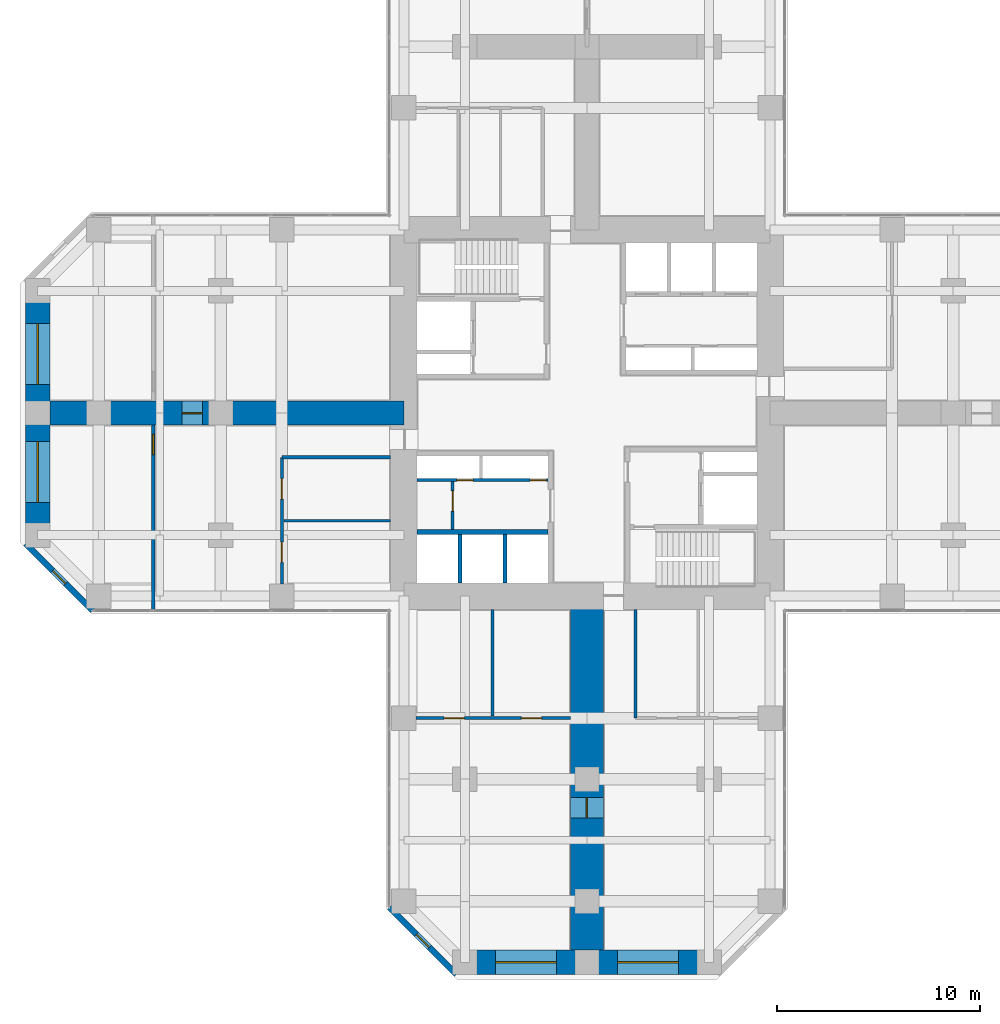
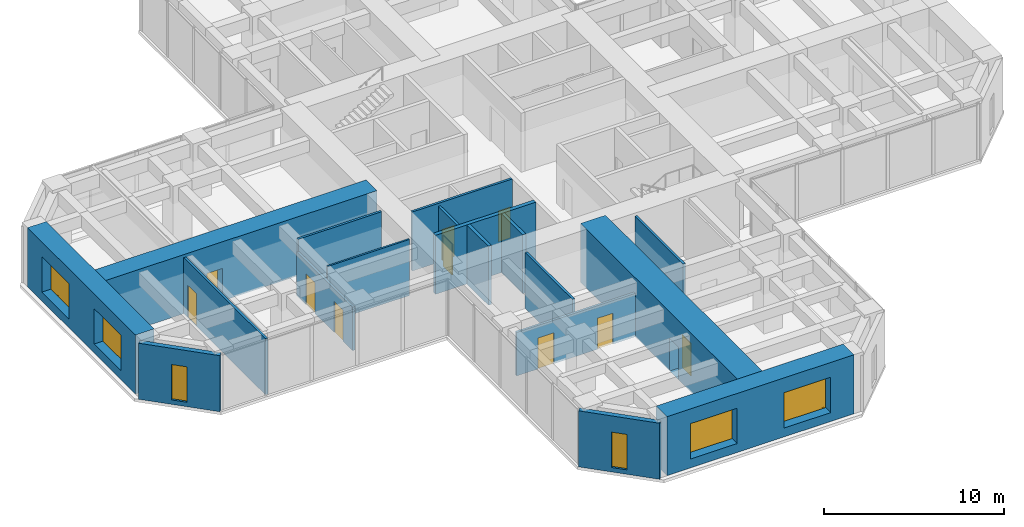
# One storey, part 8 of 12: 18 walls, 10 doors, 6 windows, 16 openings.
"""IFC4 building model written with IfcOpenShell, lengths in metres."""

from ifc_helpers import new_model, si_unit, direction, frame, frame_2d, origin, place, context, subcontext, project, spatial, rectangle, hollow_rectangle, extrude, material, layer, layer_set, constituent, constituent_set, type_object, element, fill, save


model = new_model("IFC4")

# Units and contexts
model_context = context("Model", 3, precision=1e-05, world=origin(), true_north=direction((0.0, 1.0)))
body_context = subcontext(model_context, "Body", "Model", "MODEL_VIEW")
ifc_project = project(units=[si_unit("LENGTHUNIT", "METRE"), si_unit("AREAUNIT", "SQUARE_METRE"), si_unit("VOLUMEUNIT", "CUBIC_METRE"), si_unit("PLANEANGLEUNIT", "RADIAN"), si_unit("MASSUNIT", "GRAM", prefix="KILO")], contexts=[model_context])

# Site, building, storey
site_placement = place(None, origin())
site = spatial("IfcSite", under=ifc_project, at=site_placement, CompositionType="ELEMENT")
building_placement = place(site_placement, origin())
building = spatial("IfcBuilding", under=site, at=building_placement, Name="Torre Cruceta", CompositionType="ELEMENT")
storey_placement = place(building_placement, frame((0.0, 0.0, 43.5)))
storey = spatial("IfcBuildingStorey", under=building, at=storey_placement, Name="L10", CompositionType="ELEMENT", Elevation=43.5)

# Wall
ifc_material_1 = material(Name="Concrete G60 (fck 60 MPa)", Category="concrete")
ifc_layer_1 = layer(ifc_material_1, 0.25)
ifc_layer_set_1 = layer_set([ifc_layer_1], Name="Concrete G60 (fck 60 MPa)")
wall_type_1 = type_object("IfcWallType", Name="CORE INNER WALL 250 G60", PredefinedType="SHEAR", material=ifc_layer_set_1)
wall_1_placement = place(storey_placement, frame((-1.925048828125, -5.85009765625, 0.0), z_axis=(0.0, 0.0, 1.0), x_axis=(-1.0, 0.0, 0.0)))
element("IfcWall", 1, at=wall_1_placement, inside=storey, type_object=wall_type_1, Name="CW4 L10 SW-LV", PredefinedType="SHEAR", context=body_context, shape_type="SweptSolid", body=[
    extrude(rectangle(XDim=6.425048828125, YDim=0.25, at=frame_2d((3.21240234375, 0.0))), origin(), (0.0, 0.0, 1.0), 4.0),
])

# Wall, opening, window
ifc_material_2 = material(Name="Concrete G30 (fck 30 MPa)", Category="concrete")
ifc_layer_2 = layer(ifc_material_2, 0.300048828125)
ifc_layer_set_2 = layer_set([ifc_layer_2], Name="Concrete G30 (fck 30 MPa)")
wall_type_2 = type_object("IfcWallType", Name="EXPOSED CONCRETE FACADE WALL 300", PredefinedType="SOLIDWALL", material=ifc_layer_set_2)
wall_2_placement = place(storey_placement, frame((-27.60009765625, -6.418212890625, 0.0), z_axis=(0.0, 0.0, 1.0), x_axis=(0.707106781187, -0.707106781187, 0.0)))
wall_2 = element("IfcWall", 2, at=wall_2_placement, inside=storey, type_object=wall_type_2, Name="EW1 facade wall L10 W chamfer 13", PredefinedType="SOLIDWALL", context=body_context, shape_type="SweptSolid", body=[
    extrude(rectangle(XDim=4.66943359375, YDim=0.300048828125, at=frame_2d((2.334716796875, 0.0))), origin(), (0.0, 0.0, 1.0), 3.800048828125),
])
opening_1_placement = place(wall_2_placement, frame((1.884765625, 0.0, 0.300048828125)))
opening_1 = element("IfcOpeningElement", 3, at=opening_1_placement, cuts=wall_2, Name="Opening WN5", PredefinedType="OPENING", context=body_context, shape_type="SweptSolid", body=[
    extrude(rectangle(XDim=0.89990234375, YDim=2.39990234375, at=frame_2d((0.449951171875, 1.199951171875))), frame((0.0, 0.159912109375, 0.0), z_axis=(0.0, -1.0, 0.0), x_axis=(1.0, 0.0, 0.0)), (0.0, 0.0, 1.0), 0.320068359375),
])
ifc_material_3 = material(Name="Aluminium window frame", Category="aluminium")
ifc_constituent_1 = constituent(ifc_material_3, Name="Frame")
ifc_material_4 = material(Name="Laminated insulating glass unit, low-iron clear", Category="glass")
ifc_constituent_2 = constituent(ifc_material_4, Name="Glazing")
ifc_constituent_set_1 = constituent_set(constituents=[ifc_constituent_1, ifc_constituent_2], Name="Aluminium window")
window_type_1 = type_object("IfcWindowType", Name="CHAMFER SLOT WINDOW 900X2400", PartitioningType="SINGLE_PANEL", PredefinedType="WINDOW", material=ifc_constituent_set_1)
window_1_placement = place(opening_1_placement, origin())
window_1 = element("IfcWindow", 4, at=window_1_placement, inside=storey, type_object=window_type_1, Name="WN5 L10 W 1", OverallHeight=2.39990234375, OverallWidth=0.89990234375, PartitioningType="SINGLE_PANEL", PredefinedType="WINDOW", context=body_context, shape_type="SweptSolid", body=[
    extrude(hollow_rectangle(XDim=0.89990234375, YDim=2.39990234375, WallThickness=0.06005859375, at=frame_2d((0.449951171875, 1.199951171875))), frame((0.0, 0.030029296875, 0.0), z_axis=(0.0, -1.0, 0.0), x_axis=(1.0, 0.0, 0.0)), (0.0, 0.0, 1.0), 0.06005859375),
    extrude(rectangle(XDim=0.77880859375, YDim=2.27880859375, at=frame_2d((0.449951171875, 1.199951171875))), frame((0.0, 0.030029296875, 0.0), z_axis=(0.0, -1.0, 0.0), x_axis=(1.0, 0.0, 0.0)), (0.0, 0.0, 1.0), 0.06005859375),
])
fill(opening_1, window_1)

wall_3_placement = place(storey_placement, frame((-9.719970703125, -24.29833984375, 0.0), z_axis=(0.0, 0.0, 1.0), x_axis=(0.707106781187, -0.707106781187, 0.0)))
wall_3 = element("IfcWall", 5, at=wall_3_placement, inside=storey, type_object=wall_type_2, Name="EW1 facade wall L10 S chamfer 16", PredefinedType="SOLIDWALL", context=body_context, shape_type="SweptSolid", body=[
    extrude(rectangle(XDim=4.66943359375, YDim=0.300048828125, at=frame_2d((2.334716796875, 0.0))), origin(), (0.0, 0.0, 1.0), 3.800048828125),
])
opening_2_placement = place(wall_3_placement, frame((1.884765625, 0.0, 0.300048828125)))
opening_2 = element("IfcOpeningElement", 6, at=opening_2_placement, cuts=wall_3, Name="Opening WN5", PredefinedType="OPENING", context=body_context, shape_type="SweptSolid", body=[
    extrude(rectangle(XDim=0.89990234375, YDim=2.39990234375, at=frame_2d((0.449951171875, 1.199951171875))), frame((0.0, 0.159912109375, 0.0), z_axis=(0.0, -1.0, 0.0), x_axis=(1.0, 0.0, 0.0)), (0.0, 0.0, 1.0), 0.320068359375),
])
window_2_placement = place(opening_2_placement, origin())
window_2 = element("IfcWindow", 7, at=window_2_placement, inside=storey, type_object=window_type_1, Name="WN5 L10 S 1", OverallHeight=2.39990234375, OverallWidth=0.89990234375, PartitioningType="SINGLE_PANEL", PredefinedType="WINDOW", context=body_context, shape_type="SweptSolid", body=[
    extrude(hollow_rectangle(XDim=0.89990234375, YDim=2.39990234375, WallThickness=0.06005859375, at=frame_2d((0.449951171875, 1.199951171875))), frame((0.0, 0.030029296875, 0.0), z_axis=(0.0, -1.0, 0.0), x_axis=(1.0, 0.0, 0.0)), (0.0, 0.0, 1.0), 0.06005859375),
    extrude(rectangle(XDim=0.77880859375, YDim=2.27880859375, at=frame_2d((0.449951171875, 1.199951171875))), frame((0.0, 0.030029296875, 0.0), z_axis=(0.0, -1.0, 0.0), x_axis=(1.0, 0.0, 0.0)), (0.0, 0.0, 1.0), 0.06005859375),
])
fill(opening_2, window_2)

# Walls
ifc_material_5 = material(Name="Concrete G35 (fck 35 MPa)", Category="concrete")
ifc_layer_3 = layer(ifc_material_5, 0.199951171875)
ifc_layer_set_3 = layer_set([ifc_layer_3], Name="Concrete G35 (fck 35 MPa)")
wall_type_3 = type_object("IfcWallType", Name="LIFT SHAFT WALL 200", PredefinedType="PARTITIONING", material=ifc_layer_set_3)
for number, where, z_axis, x_axis, name in (
    (8, (-4.033447265625, -5.97509765625, 0.0), (0.0, 0.0, 1.0), (0.0, -1.0, 0.0), "SW1 L10 SW-LS1"),
    (9, (-6.24169921875, -5.97509765625, 0.0), (0.0, 0.0, 1.0), (0.0, -1.0, 0.0), "SW1 L10 SW-LS2"),
):
    element("IfcWall", number, at=place(storey_placement, frame(where, z_axis=z_axis, x_axis=x_axis)), inside=storey, type_object=wall_type_3, Name=name, PredefinedType="PARTITIONING", context=body_context, shape_type="SweptSolid", body=[
        extrude(rectangle(XDim=2.375, YDim=0.199951171875, at=frame_2d((1.1875, 0.0))), origin(), (0.0, 0.0, 1.0), 4.0),
    ])

# Wall, openings, windows
ifc_material_6 = material(Name="Concrete G60 (fck 60 MPa)", Category="concrete")
ifc_layer_4 = layer(ifc_material_6, 1.199951171875)
ifc_layer_set_4 = layer_set([ifc_layer_4], Name="Concrete G60 (fck 60 MPa)")
wall_type_4 = type_object("IfcWallType", Name="NOSE WALL 1200 G60", PredefinedType="SHEAR", material=ifc_layer_set_4)
wall_4_placement = place(storey_placement, frame((-6.0, -27.0, 0.0), z_axis=(0.0, 0.0, 1.0), x_axis=(1.0, 0.0, 0.0)))
wall_4 = element("IfcWall", 10, at=wall_4_placement, inside=storey, type_object=wall_type_4, Name="NW1 nose wall L10 S", PredefinedType="SHEAR", context=body_context, shape_type="SweptSolid", body=[
    extrude(rectangle(XDim=12.0, YDim=1.199951171875, at=frame_2d((6.0, 0.0))), origin(), (0.0, 0.0, 1.0), 4.0),
])
opening_3_placement = place(wall_4_placement, frame((1.5, 0.0, 0.60009765625)))
opening_3 = element("IfcOpeningElement", 11, at=opening_3_placement, cuts=wall_4, Name="Opening WN6", PredefinedType="OPENING", context=body_context, shape_type="SweptSolid", body=[
    extrude(rectangle(XDim=3.0, YDim=2.39990234375, at=frame_2d((1.5, 1.199951171875))), frame((0.0, 0.60986328125, 0.0), z_axis=(0.0, -1.0, 0.0), x_axis=(1.0, 0.0, 0.0)), (0.0, 0.0, 1.0), 1.219970703125),
])
opening_4_placement = place(wall_4_placement, frame((7.5, 0.0, 0.60009765625)))
opening_4 = element("IfcOpeningElement", 12, at=opening_4_placement, cuts=wall_4, Name="Opening WN6", PredefinedType="OPENING", context=body_context, shape_type="SweptSolid", body=[
    extrude(rectangle(XDim=3.0, YDim=2.39990234375, at=frame_2d((1.5, 1.199951171875))), frame((0.0, 0.60986328125, 0.0), z_axis=(0.0, -1.0, 0.0), x_axis=(1.0, 0.0, 0.0)), (0.0, 0.0, 1.0), 1.219970703125),
])
ifc_material_7 = material(Name="Aluminium window frame", Category="aluminium")
ifc_constituent_3 = constituent(ifc_material_7, Name="Frame")
ifc_material_8 = material(Name="Laminated insulating glass unit, low-iron clear", Category="glass")
ifc_constituent_4 = constituent(ifc_material_8, Name="Glazing")
ifc_constituent_set_2 = constituent_set(constituents=[ifc_constituent_3, ifc_constituent_4], Name="Aluminium window")
window_type_2 = type_object("IfcWindowType", Name="NOSE WALL WINDOW 3000X2400", PartitioningType="SINGLE_PANEL", PredefinedType="WINDOW", material=ifc_constituent_set_2)
window_3_placement = place(opening_3_placement, origin())
window_3 = element("IfcWindow", 13, at=window_3_placement, inside=storey, type_object=window_type_2, Name="WN6 L10 S 1", OverallHeight=2.39990234375, OverallWidth=3.0, PartitioningType="SINGLE_PANEL", PredefinedType="WINDOW", context=body_context, shape_type="SweptSolid", body=[
    extrude(hollow_rectangle(XDim=3.0, YDim=2.39990234375, WallThickness=0.06005859375, at=frame_2d((1.5, 1.199951171875))), frame((0.0, 0.030029296875, 0.0), z_axis=(0.0, -1.0, 0.0), x_axis=(1.0, 0.0, 0.0)), (0.0, 0.0, 1.0), 0.06005859375),
    extrude(rectangle(XDim=2.87890625, YDim=2.27880859375, at=frame_2d((1.5, 1.199951171875))), frame((0.0, 0.030029296875, 0.0), z_axis=(0.0, -1.0, 0.0), x_axis=(1.0, 0.0, 0.0)), (0.0, 0.0, 1.0), 0.06005859375),
])
fill(opening_3, window_3)
window_4_placement = place(opening_4_placement, origin())
window_4 = element("IfcWindow", 14, at=window_4_placement, inside=storey, type_object=window_type_2, Name="WN6 L10 S 2", OverallHeight=2.39990234375, OverallWidth=3.0, PartitioningType="SINGLE_PANEL", PredefinedType="WINDOW", context=body_context, shape_type="SweptSolid", body=[
    extrude(hollow_rectangle(XDim=3.0, YDim=2.39990234375, WallThickness=0.06005859375, at=frame_2d((1.5, 1.199951171875))), frame((0.0, 0.030029296875, 0.0), z_axis=(0.0, -1.0, 0.0), x_axis=(1.0, 0.0, 0.0)), (0.0, 0.0, 1.0), 0.06005859375),
    extrude(rectangle(XDim=2.87890625, YDim=2.27880859375, at=frame_2d((1.5, 1.199951171875))), frame((0.0, 0.030029296875, 0.0), z_axis=(0.0, -1.0, 0.0), x_axis=(1.0, 0.0, 0.0)), (0.0, 0.0, 1.0), 0.06005859375),
])
fill(opening_4, window_4)

wall_5_placement = place(storey_placement, frame((-27.0, 6.0, 0.0), z_axis=(0.0, 0.0, 1.0), x_axis=(0.0, -1.0, 0.0)))
wall_5 = element("IfcWall", 15, at=wall_5_placement, inside=storey, type_object=wall_type_4, Name="NW1 nose wall L10 W", PredefinedType="SHEAR", context=body_context, shape_type="SweptSolid", body=[
    extrude(rectangle(XDim=12.0, YDim=1.199951171875, at=frame_2d((6.0, 0.0))), origin(), (0.0, 0.0, 1.0), 4.0),
])
opening_5_placement = place(wall_5_placement, frame((1.60009765625, 0.0, 0.60009765625)))
opening_5 = element("IfcOpeningElement", 16, at=opening_5_placement, cuts=wall_5, Name="Opening WN6", PredefinedType="OPENING", context=body_context, shape_type="SweptSolid", body=[
    extrude(rectangle(XDim=3.0, YDim=2.39990234375, at=frame_2d((1.5, 1.199951171875))), frame((0.0, 0.60986328125, 0.0), z_axis=(0.0, -1.0, 0.0), x_axis=(1.0, 0.0, 0.0)), (0.0, 0.0, 1.0), 1.219970703125),
])
opening_6_placement = place(wall_5_placement, frame((7.39990234375, 0.0, 0.60009765625)))
opening_6 = element("IfcOpeningElement", 17, at=opening_6_placement, cuts=wall_5, Name="Opening WN6", PredefinedType="OPENING", context=body_context, shape_type="SweptSolid", body=[
    extrude(rectangle(XDim=3.0, YDim=2.39990234375, at=frame_2d((1.5, 1.199951171875))), frame((0.0, 0.60986328125, 0.0), z_axis=(0.0, -1.0, 0.0), x_axis=(1.0, 0.0, 0.0)), (0.0, 0.0, 1.0), 1.219970703125),
])
window_5_placement = place(opening_5_placement, origin())
window_5 = element("IfcWindow", 18, at=window_5_placement, inside=storey, type_object=window_type_2, Name="WN6 L10 W 1", OverallHeight=2.39990234375, OverallWidth=3.0, PartitioningType="SINGLE_PANEL", PredefinedType="WINDOW", context=body_context, shape_type="SweptSolid", body=[
    extrude(hollow_rectangle(XDim=3.0, YDim=2.39990234375, WallThickness=0.06005859375, at=frame_2d((1.5, 1.199951171875))), frame((0.0, 0.030029296875, 0.0), z_axis=(0.0, -1.0, 0.0), x_axis=(1.0, 0.0, 0.0)), (0.0, 0.0, 1.0), 0.06005859375),
    extrude(rectangle(XDim=2.87890625, YDim=2.27880859375, at=frame_2d((1.5, 1.199951171875))), frame((0.0, 0.030029296875, 0.0), z_axis=(0.0, -1.0, 0.0), x_axis=(1.0, 0.0, 0.0)), (0.0, 0.0, 1.0), 0.06005859375),
])
fill(opening_5, window_5)
window_6_placement = place(opening_6_placement, origin())
window_6 = element("IfcWindow", 19, at=window_6_placement, inside=storey, type_object=window_type_2, Name="WN6 L10 W 2", OverallHeight=2.39990234375, OverallWidth=3.0, PartitioningType="SINGLE_PANEL", PredefinedType="WINDOW", context=body_context, shape_type="SweptSolid", body=[
    extrude(hollow_rectangle(XDim=3.0, YDim=2.39990234375, WallThickness=0.06005859375, at=frame_2d((1.5, 1.199951171875))), frame((0.0, 0.030029296875, 0.0), z_axis=(0.0, -1.0, 0.0), x_axis=(1.0, 0.0, 0.0)), (0.0, 0.0, 1.0), 0.06005859375),
    extrude(rectangle(XDim=2.87890625, YDim=2.27880859375, at=frame_2d((1.5, 1.199951171875))), frame((0.0, 0.030029296875, 0.0), z_axis=(0.0, -1.0, 0.0), x_axis=(1.0, 0.0, 0.0)), (0.0, 0.0, 1.0), 0.06005859375),
])
fill(opening_6, window_6)

# Wall, opening, door
ifc_material_9 = material(Name="Plasterboard on steel studs", Category="steel")
ifc_layer_5 = layer(ifc_material_9, 0.14990234375)
ifc_layer_set_5 = layer_set([ifc_layer_5], Name="Plasterboard on steel studs")
wall_type_5 = type_object("IfcWallType", Name="PARTITION 150", PredefinedType="PARTITIONING", material=ifc_layer_set_5)
wall_6_placement = place(storey_placement, frame((-6.60009765625, -3.375, 0.0), z_axis=(0.0, 0.0, 1.0), x_axis=(0.0, -1.0, 0.0)))
wall_6 = element("IfcWall", 20, at=wall_6_placement, inside=storey, type_object=wall_type_5, Name="PT1 L10-CORE-SW-X", PredefinedType="PARTITIONING", context=body_context, shape_type="SweptSolid", body=[
    extrude(rectangle(XDim=2.35009765625, YDim=0.14990234375, at=frame_2d((1.175048828125, 0.0))), origin(), (0.0, 0.0, 1.0), 3.800048828125),
])
opening_7_placement = place(wall_6_placement, frame((0.449951171875, 0.0, 0.0)))
opening_7 = element("IfcOpeningElement", 21, at=opening_7_placement, cuts=wall_6, Name="Opening D3", PredefinedType="OPENING", context=body_context, shape_type="SweptSolid", body=[
    extrude(rectangle(XDim=1.0, YDim=2.10009765625, at=frame_2d((0.5, 1.050048828125))), frame((0.0, 0.0849609375, 0.0), z_axis=(0.0, -1.0, 0.0), x_axis=(1.0, 0.0, 0.0)), (0.0, 0.0, 1.0), 0.169921875),
])
ifc_material_10 = material(Name="Steel DX51D", Category="steel")
ifc_constituent_5 = constituent(ifc_material_10, Name="Leaf and frame")
ifc_material_11 = material(Name="Polyester powder coating", Category="paint")
ifc_constituent_6 = constituent(ifc_material_11, Name="Finish")
ifc_constituent_set_3 = constituent_set(constituents=[ifc_constituent_5, ifc_constituent_6], Name="Steel fire door")
door_type_1 = type_object("IfcDoorType", Name="FIRE DOOR 1000X2100", OperationType="SINGLE_SWING_LEFT", PredefinedType="DOOR", material=ifc_constituent_set_3)
door_1_placement = place(opening_7_placement, frame((1.0, 0.0, 0.0), z_axis=(0.0, 0.0, 1.0), x_axis=(-1.0, 0.0, 0.0)))
door_1 = element("IfcDoor", 22, at=door_1_placement, inside=storey, type_object=door_type_1, Name="D3 L10-CORE-SW-X-D1", OperationType="SINGLE_SWING_RIGHT", OverallHeight=2.10009765625, OverallWidth=1.0, PredefinedType="DOOR", context=body_context, shape_type="SweptSolid", body=[
    extrude(rectangle(XDim=1.0, YDim=2.10009765625, at=frame_2d((0.5, 1.050048828125))), frame((0.0, 0.025146484375, 0.0), z_axis=(0.0, -1.0, 0.0), x_axis=(1.0, 0.0, 0.0)), (0.0, 0.0, 1.0), 0.050048828125),
])
fill(opening_7, door_1)

# Wall
wall_7_placement = place(storey_placement, frame((2.375, -9.64990234375, 0.0), z_axis=(0.0, 0.0, 1.0), x_axis=(0.0, -1.0, 0.0)))
element("IfcWall", 23, at=wall_7_placement, inside=storey, type_object=wall_type_5, Name="PT1 L10-S-BSL", PredefinedType="PARTITIONING", context=body_context, shape_type="SweptSolid", body=[
    extrude(rectangle(XDim=5.35009765625, YDim=0.14990234375, at=frame_2d((2.675048828125, 0.0))), origin(), (0.0, 0.0, 1.0), 3.800048828125),
])

# Wall, openings, doors
wall_8_placement = place(storey_placement, frame((-8.39990234375, -15.0, 0.0), z_axis=(0.0, 0.0, 1.0), x_axis=(1.0, 0.0, 0.0)))
wall_8 = element("IfcWall", 24, at=wall_8_placement, inside=storey, type_object=wall_type_5, Name="PT1 L10-S-BFR", PredefinedType="PARTITIONING", context=body_context, shape_type="SweptSolid", body=[
    extrude(rectangle(XDim=7.599853515625, YDim=0.14990234375, at=frame_2d((3.7998046875, 0.0))), origin(), (0.0, 0.0, 1.0), 2.949951171875),
])
opening_8_placement = place(wall_8_placement, frame((1.375, 0.0, 0.0)))
opening_8 = element("IfcOpeningElement", 25, at=opening_8_placement, cuts=wall_8, Name="Opening D3", PredefinedType="OPENING", context=body_context, shape_type="SweptSolid", body=[
    extrude(rectangle(XDim=1.0, YDim=2.10009765625, at=frame_2d((0.5, 1.050048828125))), frame((0.0, 0.0849609375, 0.0), z_axis=(0.0, -1.0, 0.0), x_axis=(1.0, 0.0, 0.0)), (0.0, 0.0, 1.0), 0.169921875),
])
opening_9_placement = place(wall_8_placement, frame((5.175048828125, 0.0, 0.0)))
opening_9 = element("IfcOpeningElement", 26, at=opening_9_placement, cuts=wall_8, Name="Opening D3", PredefinedType="OPENING", context=body_context, shape_type="SweptSolid", body=[
    extrude(rectangle(XDim=1.0, YDim=2.10009765625, at=frame_2d((0.5, 1.050048828125))), frame((0.0, 0.0849609375, 0.0), z_axis=(0.0, -1.0, 0.0), x_axis=(1.0, 0.0, 0.0)), (0.0, 0.0, 1.0), 0.169921875),
])
door_2_placement = place(opening_8_placement, origin())
door_2 = element("IfcDoor", 27, at=door_2_placement, inside=storey, type_object=door_type_1, Name="D3 L10-S-BFR-D1", OperationType="SINGLE_SWING_RIGHT", OverallHeight=2.10009765625, OverallWidth=1.0, PredefinedType="DOOR", context=body_context, shape_type="SweptSolid", body=[
    extrude(rectangle(XDim=1.0, YDim=2.10009765625, at=frame_2d((0.5, 1.050048828125))), frame((0.0, 0.02490234375, 0.0), z_axis=(0.0, -1.0, 0.0), x_axis=(1.0, 0.0, 0.0)), (0.0, 0.0, 1.0), 0.050048828125),
])
fill(opening_8, door_2)
door_3_placement = place(opening_9_placement, origin())
door_3 = element("IfcDoor", 28, at=door_3_placement, inside=storey, type_object=door_type_1, Name="D3 L10-S-BFR-D2", OperationType="SINGLE_SWING_LEFT", OverallHeight=2.10009765625, OverallWidth=1.0, PredefinedType="DOOR", context=body_context, shape_type="SweptSolid", body=[
    extrude(rectangle(XDim=1.0, YDim=2.10009765625, at=frame_2d((0.5, 1.050048828125))), frame((0.0, 0.02490234375, 0.0), z_axis=(0.0, -1.0, 0.0), x_axis=(1.0, 0.0, 0.0)), (0.0, 0.0, 1.0), 0.050048828125),
])
fill(opening_9, door_3)

# Wall
wall_9_placement = place(storey_placement, frame((-4.64990234375, -9.64990234375, 0.0), z_axis=(0.0, 0.0, 1.0), x_axis=(0.0, -1.0, 0.0)))
element("IfcWall", 29, at=wall_9_placement, inside=storey, type_object=wall_type_5, Name="PT1 L10-S-BDR1", PredefinedType="PARTITIONING", context=body_context, shape_type="SweptSolid", body=[
    extrude(rectangle(XDim=5.25, YDim=0.14990234375, at=frame_2d((2.625, 0.0))), origin(), (0.0, 0.0, 1.0), 3.800048828125),
])

# Wall, openings, doors
wall_10_placement = place(storey_placement, frame((-15.0, -2.175048828125, 0.0), z_axis=(0.0, 0.0, 1.0), x_axis=(0.0, -1.0, 0.0)))
wall_10 = element("IfcWall", 30, at=wall_10_placement, inside=storey, type_object=wall_type_5, Name="PT1 L10-W-BFL", PredefinedType="PARTITIONING", context=body_context, shape_type="SweptSolid", body=[
    extrude(rectangle(XDim=6.224853515625, YDim=0.14990234375, at=frame_2d((3.1123046875, 0.0))), origin(), (0.0, 0.0, 1.0), 2.949951171875),
])
opening_10_placement = place(wall_10_placement, frame((1.05615234375, 0.0, 0.0)))
opening_10 = element("IfcOpeningElement", 31, at=opening_10_placement, cuts=wall_10, Name="Opening D3", PredefinedType="OPENING", context=body_context, shape_type="SweptSolid", body=[
    extrude(rectangle(XDim=1.0, YDim=2.10009765625, at=frame_2d((0.5, 1.050048828125))), frame((0.0, 0.0849609375, 0.0), z_axis=(0.0, -1.0, 0.0), x_axis=(1.0, 0.0, 0.0)), (0.0, 0.0, 1.0), 0.169921875),
])
opening_11_placement = place(wall_10_placement, frame((4.168701171875, 0.0, 0.0)))
opening_11 = element("IfcOpeningElement", 32, at=opening_11_placement, cuts=wall_10, Name="Opening D3", PredefinedType="OPENING", context=body_context, shape_type="SweptSolid", body=[
    extrude(rectangle(XDim=1.0, YDim=2.10009765625, at=frame_2d((0.5, 1.050048828125))), frame((0.0, 0.0849609375, 0.0), z_axis=(0.0, -1.0, 0.0), x_axis=(1.0, 0.0, 0.0)), (0.0, 0.0, 1.0), 0.169921875),
])
door_4_placement = place(opening_10_placement, origin())
door_4 = element("IfcDoor", 33, at=door_4_placement, inside=storey, type_object=door_type_1, Name="D3 L10-W-BFL-D1", OperationType="SINGLE_SWING_LEFT", OverallHeight=2.10009765625, OverallWidth=1.0, PredefinedType="DOOR", context=body_context, shape_type="SweptSolid", body=[
    extrude(rectangle(XDim=1.0, YDim=2.10009765625, at=frame_2d((0.5, 1.050048828125))), frame((0.0, 0.02490234375, 0.0), z_axis=(0.0, -1.0, 0.0), x_axis=(1.0, 0.0, 0.0)), (0.0, 0.0, 1.0), 0.050048828125),
])
fill(opening_10, door_4)
door_5_placement = place(opening_11_placement, origin())
door_5 = element("IfcDoor", 34, at=door_5_placement, inside=storey, type_object=door_type_1, Name="D3 L10-W-BFL-D2", OperationType="SINGLE_SWING_LEFT", OverallHeight=2.10009765625, OverallWidth=1.0, PredefinedType="DOOR", context=body_context, shape_type="SweptSolid", body=[
    extrude(rectangle(XDim=1.0, YDim=2.10009765625, at=frame_2d((0.5, 1.050048828125))), frame((0.0, 0.02490234375, 0.0), z_axis=(0.0, -1.0, 0.0), x_axis=(1.0, 0.0, 0.0)), (0.0, 0.0, 1.0), 0.050048828125),
])
fill(opening_11, door_5)

# Wall
wall_11_placement = place(storey_placement, frame((-9.64990234375, -2.175048828125, 0.0), z_axis=(0.0, 0.0, 1.0), x_axis=(-1.0, 0.0, 0.0)))
element("IfcWall", 35, at=wall_11_placement, inside=storey, type_object=wall_type_5, Name="PT1 L10-W-BSL", PredefinedType="PARTITIONING", context=body_context, shape_type="SweptSolid", body=[
    extrude(rectangle(XDim=5.35009765625, YDim=0.14990234375, at=frame_2d((2.675048828125, 0.0))), origin(), (0.0, 0.0, 1.0), 3.800048828125),
])

# Wall, opening, door
wall_12_placement = place(storey_placement, frame((-21.320068359375, -0.60009765625, 0.0), z_axis=(0.0, 0.0, 1.0), x_axis=(0.0, -1.0, 0.0)))
wall_12 = element("IfcWall", 36, at=wall_12_placement, inside=storey, type_object=wall_type_5, Name="PT1 L10-W-TWL", PredefinedType="PARTITIONING", context=body_context, shape_type="SweptSolid", body=[
    extrude(rectangle(XDim=9.079833984375, YDim=0.14990234375, at=frame_2d((4.5400390625, 0.0))), origin(), (0.0, 0.0, 1.0), 3.800048828125),
])
opening_12_placement = place(wall_12_placement, frame((0.449951171875, 0.0, 0.0)))
opening_12 = element("IfcOpeningElement", 37, at=opening_12_placement, cuts=wall_12, Name="Opening D14", PredefinedType="OPENING", context=body_context, shape_type="SweptSolid", body=[
    extrude(rectangle(XDim=1.0, YDim=2.199951171875, at=frame_2d((0.5, 1.10009765625))), frame((0.0, 0.0849609375, 0.0), z_axis=(0.0, -1.0, 0.0), x_axis=(1.0, 0.0, 0.0)), (0.0, 0.0, 1.0), 0.169921875),
])
ifc_material_12 = material(Name="Steel DX51D", Category="steel")
ifc_constituent_7 = constituent(ifc_material_12, Name="Leaf and frame")
ifc_material_13 = material(Name="Polyester powder coating", Category="paint")
ifc_constituent_8 = constituent(ifc_material_13, Name="Finish")
ifc_material_14 = material(Name="Fire-resisting glass", Category="glass")
ifc_constituent_9 = constituent(ifc_material_14, Name="Vision panel")
ifc_constituent_set_4 = constituent_set(constituents=[ifc_constituent_7, ifc_constituent_8, ifc_constituent_9], Name="Steel fire door with vision panel")
door_type_2 = type_object("IfcDoorType", Name="FIRE DOOR VISION PANEL 1000X2200", OperationType="SINGLE_SWING_RIGHT", PredefinedType="DOOR", material=ifc_constituent_set_4)
door_6_placement = place(opening_12_placement, frame((1.0, 0.0, 0.0), z_axis=(0.0, 0.0, 1.0), x_axis=(-1.0, 0.0, 0.0)))
door_6 = element("IfcDoor", 38, at=door_6_placement, inside=storey, type_object=door_type_2, Name="D14 L10-W-TWL-D1", OperationType="SINGLE_SWING_RIGHT", OverallHeight=2.199951171875, OverallWidth=1.0, PredefinedType="DOOR", context=body_context, shape_type="SweptSolid", body=[
    extrude(rectangle(XDim=1.0, YDim=2.199951171875, at=frame_2d((0.5, 1.10009765625))), frame((0.0, 0.025146484375, 0.0), z_axis=(0.0, -1.0, 0.0), x_axis=(1.0, 0.0, 0.0)), (0.0, 0.0, 1.0), 0.050048828125),
])
fill(opening_12, door_6)

# Wall, openings, doors
ifc_material_15 = material(Name="Concrete block masonry", Category="masonry")
ifc_layer_6 = layer(ifc_material_15, 0.14990234375)
ifc_layer_set_6 = layer_set([ifc_layer_6], Name="Concrete block masonry")
wall_type_6 = type_object("IfcWallType", Name="RISER WALL 150", PredefinedType="PARTITIONING", material=ifc_layer_set_6)
wall_13_placement = place(storey_placement, frame((-1.925048828125, -3.300048828125, 0.0), z_axis=(0.0, 0.0, 1.0), x_axis=(-1.0, 0.0, 0.0)))
wall_13 = element("IfcWall", 39, at=wall_13_placement, inside=storey, type_object=wall_type_6, Name="SW7 L10 SW-RV", PredefinedType="PARTITIONING", context=body_context, shape_type="SweptSolid", body=[
    extrude(rectangle(XDim=6.425048828125, YDim=0.14990234375, at=frame_2d((3.21240234375, 0.0))), origin(), (0.0, 0.0, 1.0), 4.0),
])
opening_13_placement = place(wall_13_placement, frame((0.074951171875, 0.0, 0.0)))
opening_13 = element("IfcOpeningElement", 40, at=opening_13_placement, cuts=wall_13, Name="Opening D5", PredefinedType="OPENING", context=body_context, shape_type="SweptSolid", body=[
    extrude(rectangle(XDim=0.800048828125, YDim=2.10009765625, at=frame_2d((0.39990234375, 1.050048828125))), frame((0.0, 0.0849609375, 0.0), z_axis=(0.0, -1.0, 0.0), x_axis=(1.0, 0.0, 0.0)), (0.0, 0.0, 1.0), 0.169921875),
])
opening_14_placement = place(wall_13_placement, frame((3.675048828125, 0.0, 0.0)))
opening_14 = element("IfcOpeningElement", 41, at=opening_14_placement, cuts=wall_13, Name="Opening D5", PredefinedType="OPENING", context=body_context, shape_type="SweptSolid", body=[
    extrude(rectangle(XDim=0.800048828125, YDim=2.10009765625, at=frame_2d((0.39990234375, 1.050048828125))), frame((0.0, 0.0849609375, 0.0), z_axis=(0.0, -1.0, 0.0), x_axis=(1.0, 0.0, 0.0)), (0.0, 0.0, 1.0), 0.169921875),
])
ifc_material_16 = material(Name="Steel DX51D", Category="steel")
ifc_constituent_10 = constituent(ifc_material_16, Name="Leaf and frame")
ifc_material_17 = material(Name="Polyester powder coating", Category="paint")
ifc_constituent_11 = constituent(ifc_material_17, Name="Finish")
ifc_constituent_set_5 = constituent_set(constituents=[ifc_constituent_10, ifc_constituent_11], Name="Steel fire door")
door_type_3 = type_object("IfcDoorType", Name="RISER ACCESS DOOR 800X2100", OperationType="SINGLE_SWING_LEFT", PredefinedType="DOOR", material=ifc_constituent_set_5)
door_7_placement = place(opening_13_placement, frame((0.800048828125, 0.0, 0.0), z_axis=(0.0, 0.0, 1.0), x_axis=(-1.0, 0.0, 0.0)))
door_7 = element("IfcDoor", 42, at=door_7_placement, inside=storey, type_object=door_type_3, Name="D5 L10 SW-RISER1", OperationType="SINGLE_SWING_RIGHT", OverallHeight=2.10009765625, OverallWidth=0.800048828125, PredefinedType="DOOR", context=body_context, shape_type="SweptSolid", body=[
    extrude(rectangle(XDim=0.800048828125, YDim=2.10009765625, at=frame_2d((0.400146484375, 1.050048828125))), frame((0.0, 0.025146484375, 0.0), z_axis=(0.0, -1.0, 0.0), x_axis=(1.0, 0.0, 0.0)), (0.0, 0.0, 1.0), 0.050048828125),
])
fill(opening_13, door_7)
door_8_placement = place(opening_14_placement, frame((0.800048828125, 0.0, 0.0), z_axis=(0.0, 0.0, 1.0), x_axis=(-1.0, 0.0, 0.0)))
door_8 = element("IfcDoor", 43, at=door_8_placement, inside=storey, type_object=door_type_3, Name="D5 L10 SW-RISER2", OperationType="SINGLE_SWING_RIGHT", OverallHeight=2.10009765625, OverallWidth=0.800048828125, PredefinedType="DOOR", context=body_context, shape_type="SweptSolid", body=[
    extrude(rectangle(XDim=0.800048828125, YDim=2.10009765625, at=frame_2d((0.400146484375, 1.050048828125))), frame((0.0, 0.025146484375, 0.0), z_axis=(0.0, -1.0, 0.0), x_axis=(1.0, 0.0, 0.0)), (0.0, 0.0, 1.0), 0.050048828125),
])
fill(opening_14, door_8)

# Wall, opening, door
ifc_material_18 = material(Name="Concrete G60 (fck 60 MPa)", Category="concrete")
ifc_layer_7 = layer(ifc_material_18, 1.199951171875)
ifc_layer_set_7 = layer_set([ifc_layer_7], Name="Concrete G60 (fck 60 MPa)")
wall_type_7 = type_object("IfcWallType", Name="SPINE WALL 1200 G60", PredefinedType="SHEAR", material=ifc_layer_set_7)
wall_14_placement = place(storey_placement, frame((-9.0, 0.0, 0.0), z_axis=(0.0, 0.0, 1.0), x_axis=(-1.0, 0.0, 0.0)))
wall_14 = element("IfcWall", 44, at=wall_14_placement, inside=storey, type_object=wall_type_7, Name="SW3 spine wall L10 W", PredefinedType="SHEAR", context=body_context, shape_type="SweptSolid", body=[
    extrude(rectangle(XDim=18.0, YDim=1.199951171875, at=frame_2d((9.0, 0.0))), origin(), (0.0, 0.0, 1.0), 4.0),
])
opening_15_placement = place(wall_14_placement, frame((9.89990234375, 0.0, 0.0)))
opening_15 = element("IfcOpeningElement", 45, at=opening_15_placement, cuts=wall_14, Name="Opening D14", PredefinedType="OPENING", context=body_context, shape_type="SweptSolid", body=[
    extrude(rectangle(XDim=1.0, YDim=2.199951171875, at=frame_2d((0.5, 1.10009765625))), frame((0.0, 0.60986328125, 0.0), z_axis=(0.0, -1.0, 0.0), x_axis=(1.0, 0.0, 0.0)), (0.0, 0.0, 1.0), 1.219970703125),
])
door_9_placement = place(opening_15_placement, origin())
door_9 = element("IfcDoor", 46, at=door_9_placement, inside=storey, type_object=door_type_2, Name="D14 L10-W-SP1", OperationType="SINGLE_SWING_RIGHT", OverallHeight=2.199951171875, OverallWidth=1.0, PredefinedType="DOOR", context=body_context, shape_type="SweptSolid", body=[
    extrude(rectangle(XDim=1.0, YDim=2.199951171875, at=frame_2d((0.5, 1.10009765625))), frame((0.0, 0.02490234375, 0.0), z_axis=(0.0, -1.0, 0.0), x_axis=(1.0, 0.0, 0.0)), (0.0, 0.0, 1.0), 0.050048828125),
])
fill(opening_15, door_9)

ifc_material_19 = material(Name="Concrete G60 (fck 60 MPa)", Category="concrete")
ifc_layer_8 = layer(ifc_material_19, 1.60009765625)
ifc_layer_set_8 = layer_set([ifc_layer_8], Name="Concrete G60 (fck 60 MPa)")
wall_type_8 = type_object("IfcWallType", Name="SPINE WALL 1600 G60", PredefinedType="SHEAR", material=ifc_layer_set_8)
wall_15_placement = place(storey_placement, frame((0.0, -9.0, 0.0), z_axis=(0.0, 0.0, 1.0), x_axis=(0.0, -1.0, 0.0)))
wall_15 = element("IfcWall", 47, at=wall_15_placement, inside=storey, type_object=wall_type_8, Name="SW2 spine wall L10 S", PredefinedType="SHEAR", context=body_context, shape_type="SweptSolid", body=[
    extrude(rectangle(XDim=18.0, YDim=1.60009765625, at=frame_2d((9.0, 0.0))), origin(), (0.0, 0.0, 1.0), 4.0),
])
opening_16_placement = place(wall_15_placement, frame((9.89990234375, 0.0, 0.0)))
opening_16 = element("IfcOpeningElement", 48, at=opening_16_placement, cuts=wall_15, Name="Opening D14", PredefinedType="OPENING", context=body_context, shape_type="SweptSolid", body=[
    extrude(rectangle(XDim=1.0, YDim=2.199951171875, at=frame_2d((0.5, 1.10009765625))), frame((0.0, 0.81005859375, 0.0), z_axis=(0.0, -1.0, 0.0), x_axis=(1.0, 0.0, 0.0)), (0.0, 0.0, 1.0), 1.6201171875),
])
door_10_placement = place(opening_16_placement, frame((1.0, 0.0, 0.0), z_axis=(0.0, 0.0, 1.0), x_axis=(-1.0, 0.0, 0.0)))
door_10 = element("IfcDoor", 49, at=door_10_placement, inside=storey, type_object=door_type_2, Name="D14 L10-S-SP1", OperationType="SINGLE_SWING_RIGHT", OverallHeight=2.199951171875, OverallWidth=1.0, PredefinedType="DOOR", context=body_context, shape_type="SweptSolid", body=[
    extrude(rectangle(XDim=1.0, YDim=2.199951171875, at=frame_2d((0.5, 1.10009765625))), frame((0.0, 0.025146484375, 0.0), z_axis=(0.0, -1.0, 0.0), x_axis=(1.0, 0.0, 0.0)), (0.0, 0.0, 1.0), 0.050048828125),
])
fill(opening_16, door_10)

# Wall
ifc_material_20 = material(Name="Plasterboard on steel studs", Category="steel")
ifc_layer_9 = layer(ifc_material_20, 0.1201171875)
ifc_layer_set_9 = layer_set([ifc_layer_9], Name="Plasterboard on steel studs")
wall_type_9 = type_object("IfcWallType", Name="WC PARTITION 120", PredefinedType="PLUMBINGWALL", material=ifc_layer_set_9)
wall_16_placement = place(storey_placement, frame((-9.64990234375, -5.28759765625, 0.0), z_axis=(0.0, 0.0, 1.0), x_axis=(-1.0, 0.0, 0.0)))
element("IfcWall", 50, at=wall_16_placement, inside=storey, type_object=wall_type_9, Name="PT5 L10-W-BDL1", PredefinedType="PLUMBINGWALL", context=body_context, shape_type="SweptSolid", body=[
    extrude(rectangle(XDim=5.25, YDim=0.1201171875, at=frame_2d((2.625, 0.0))), origin(), (0.0, 0.0, 1.0), 3.800048828125),
])

save(model, "model.ifc")
